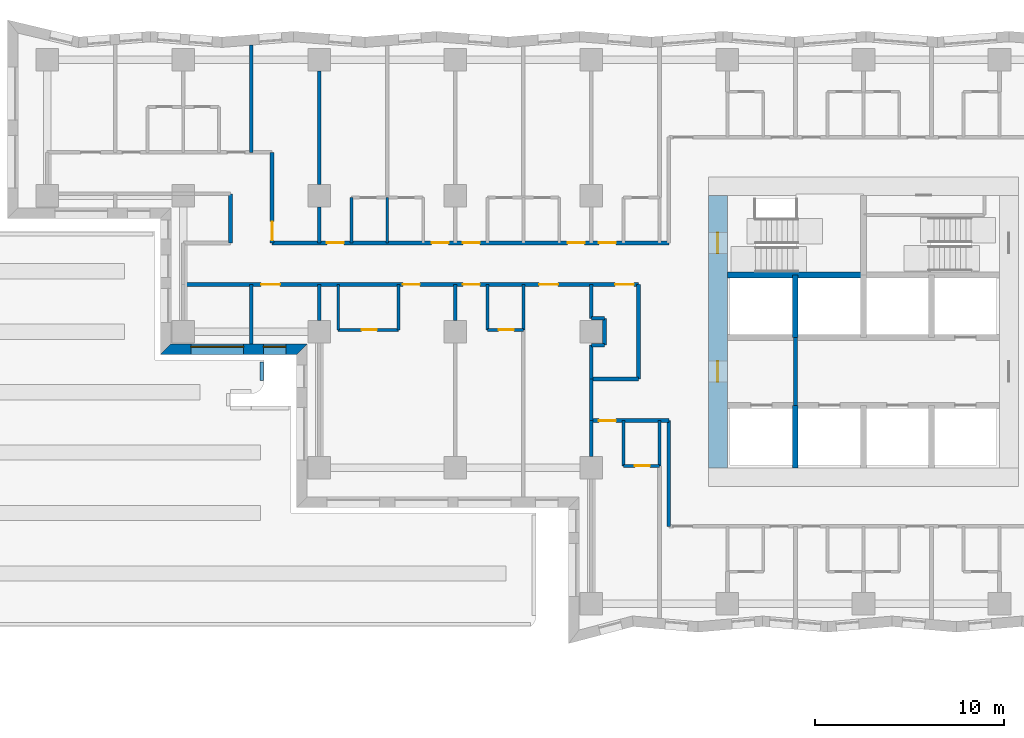
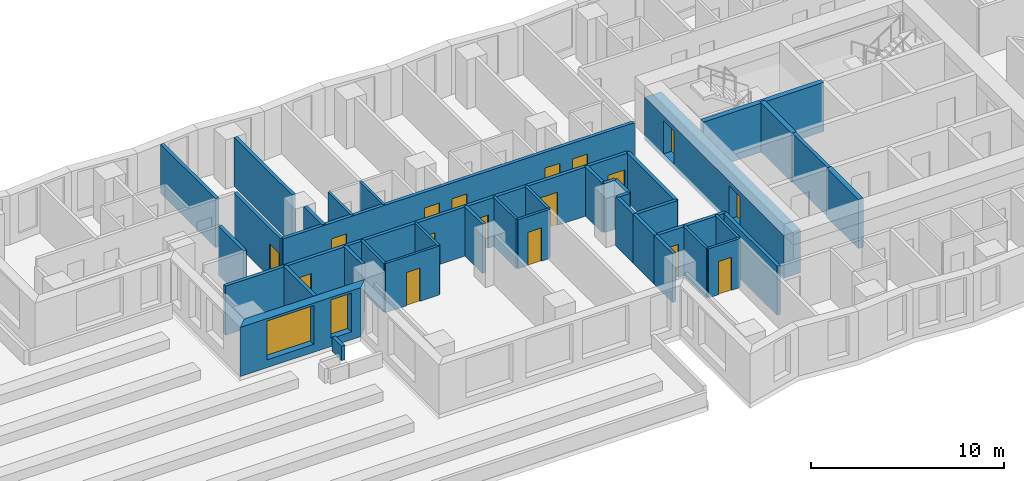
# One storey, part 5 of 15: 39 walls, 17 doors, 2 windows, 19 openings.
"""IFC4 building model written with IfcOpenShell, lengths in metres."""

from ifc_helpers import new_model, si_unit, direction, frame, frame_2d, origin, place, context, subcontext, project, spatial, polyline, rectangle, outline, extrude, material, layer, layer_set, type_object, element, fill, save


model = new_model("IFC4")

# Units and contexts
model_context = context("Model", 3, precision=1e-05, world=origin(), true_north=direction((0.0, 1.0)))
body_context = subcontext(model_context, "Body", "Model", "MODEL_VIEW")
ifc_project = project(units=[si_unit("LENGTHUNIT", "METRE"), si_unit("AREAUNIT", "SQUARE_METRE"), si_unit("VOLUMEUNIT", "CUBIC_METRE"), si_unit("PLANEANGLEUNIT", "RADIAN"), si_unit("MASSUNIT", "GRAM", prefix="KILO")], contexts=[model_context])

# Site, building, storey
site_placement = place(None, origin())
site = spatial("IfcSite", under=ifc_project, at=site_placement, CompositionType="ELEMENT")
building_placement = place(site_placement, origin())
building = spatial("IfcBuilding", under=site, at=building_placement, Name="Windrow Commons", CompositionType="ELEMENT")
storey_placement = place(building_placement, frame((0.0, 0.0, 27.0)))
storey = spatial("IfcBuildingStorey", under=building, at=storey_placement, Name="L06", CompositionType="ELEMENT", Elevation=27.0)

# Wall, openings, windows
ifc_material_1 = material(Name="Brick masonry, red clay brick", Category="masonry")
ifc_layer_1 = layer(ifc_material_1, 0.55)
ifc_layer_set_1 = layer_set([ifc_layer_1], Name="Brick facade wall 550")
wall_type_1 = type_object("IfcWallType", Name="Brick facade wall 550", PredefinedType="SOLIDWALL", material=ifc_layer_set_1)
wall_1_placement = place(storey_placement, frame((27.875, 56.675, 0.0), z_axis=(0.0, 0.0, 1.0), x_axis=(1.0, 0.0, 0.0)))
wall_1 = element("IfcWall", 1, at=wall_1_placement, inside=storey, type_object=wall_type_1, Name="Brick facade wall L06 42", PredefinedType="SOLIDWALL", context=body_context, shape_type="SweptSolid", body=[
    extrude(outline(polyline([(-0.275, -0.275), (6.925, -0.275), (7.475, 0.275), (0.275, 0.275), (-0.275, -0.275)])), origin(), (0.0, 0.0, 1.0), 3.1),
])
opening_1_placement = place(wall_1_placement, frame((1.325, 0.0, 0.5)))
opening_1 = element("IfcOpeningElement", 2, at=opening_1_placement, cuts=wall_1, Name="Opening W1T", PredefinedType="OPENING", context=body_context, shape_type="SweptSolid", body=[
    extrude(rectangle(XDim=2.8, YDim=2.45, at=frame_2d((1.4, 1.225))), frame((0.0, 0.285, 0.0), z_axis=(0.0, -1.0, 0.0), x_axis=(1.0, 0.0, 0.0)), (0.0, 0.0, 1.0), 0.57),
])
opening_2_placement = place(wall_1_placement, frame((5.1625, 0.0, 0.5)))
opening_2 = element("IfcOpeningElement", 3, at=opening_2_placement, cuts=wall_1, Name="Opening W7D", PredefinedType="OPENING", context=body_context, shape_type="SweptSolid", body=[
    extrude(rectangle(XDim=1.2, YDim=2.45, at=frame_2d((0.6, 1.225))), frame((0.0, 0.285, 0.0), z_axis=(0.0, -1.0, 0.0), x_axis=(1.0, 0.0, 0.0)), (0.0, 0.0, 1.0), 0.57),
])
ifc_material_2 = material(Name="Clear float glass in anodised aluminium frame", Category="aluminium")
window_type_1 = type_object("IfcWindowType", Name="Window W1T bedroom 2800x2450", PartitioningType="SINGLE_PANEL", PredefinedType="WINDOW", material=ifc_material_2)
window_1_placement = place(opening_1_placement, origin())
window_1 = element("IfcWindow", 4, at=window_1_placement, inside=storey, type_object=window_type_1, Name="Window L06 42.1", OverallHeight=2.45, OverallWidth=2.8, PartitioningType="SINGLE_PANEL", PredefinedType="WINDOW", context=body_context, shape_type="SweptSolid", body=[
    extrude(rectangle(XDim=2.8, YDim=2.45, at=frame_2d((1.4, 1.225))), frame((0.0, 0.155, 0.0), z_axis=(0.0, -1.0, 0.0), x_axis=(1.0, 0.0, 0.0)), (0.0, 0.0, 1.0), 0.06),
])
fill(opening_1, window_1)
ifc_material_3 = material(Name="Clear float glass in anodised aluminium frame", Category="aluminium")
window_type_2 = type_object("IfcWindowType", Name="Window W7 notch 1200x2450", PartitioningType="SINGLE_PANEL", PredefinedType="WINDOW", material=ifc_material_3)
window_2_placement = place(opening_2_placement, origin())
window_2 = element("IfcWindow", 5, at=window_2_placement, inside=storey, type_object=window_type_2, Name="Window L06 42.2", OverallHeight=2.45, OverallWidth=1.2, PartitioningType="SINGLE_PANEL", PredefinedType="WINDOW", context=body_context, shape_type="SweptSolid", body=[
    extrude(rectangle(XDim=1.2, YDim=2.45, at=frame_2d((0.6, 1.225))), frame((0.0, 0.155, 0.0), z_axis=(0.0, -1.0, 0.0), x_axis=(1.0, 0.0, 0.0)), (0.0, 0.0, 1.0), 0.06),
])
fill(opening_2, window_2)

# Wall
ifc_material_4 = material(Name="Blockwork partition", Category="masonry")
ifc_layer_2 = layer(ifc_material_4, 0.2)
ifc_layer_set_2 = layer_set([ifc_layer_2], Name="Fire lobby partition 200")
wall_type_2 = type_object("IfcWallType", Name="Fire lobby partition 200", PredefinedType="PARTITIONING", material=ifc_layer_set_2)
wall_2_placement = place(storey_placement, frame((61.2, 53.7, 0.0), z_axis=(0.0, 0.0, 1.0), x_axis=(0.0, 1.0, 0.0)))
element("IfcWall", 6, at=wall_2_placement, inside=storey, type_object=wall_type_2, Name="W-core-lobby-A-L06", PredefinedType="PARTITIONING", context=body_context, shape_type="SweptSolid", body=[
    extrude(rectangle(XDim=3.6, YDim=0.2, at=frame_2d((1.8, 0.0))), origin(), (0.0, 0.0, 1.0), 3.1),
])

# Wall, openings, doors
ifc_material_5 = material(Name="Blockwork partition", Category="masonry")
ifc_layer_3 = layer(ifc_material_5, 0.2)
ifc_layer_set_3 = layer_set([ifc_layer_3], Name="IW-CORRIDOR-200")
wall_type_3 = type_object("IfcWallType", Name="IW-CORRIDOR-200", PredefinedType="PARTITIONING", material=ifc_layer_set_3)
wall_3_placement = place(storey_placement, frame((28.8, 60.1, 0.0), z_axis=(0.0, 0.0, 1.0), x_axis=(1.0, 0.0, 0.0)))
wall_3 = element("IfcWall", 7, at=wall_3_placement, inside=storey, type_object=wall_type_3, Name="W-L06-W000", PredefinedType="PARTITIONING", context=body_context, shape_type="SweptSolid", body=[
    extrude(rectangle(XDim=24.1, YDim=0.2, at=frame_2d((12.05, 0.0))), origin(), (0.0, 0.0, 1.0), 3.1),
])
opening_3_placement = place(wall_3_placement, frame((4.125, 0.0, 0.0)))
opening_3 = element("IfcOpeningElement", 8, at=opening_3_placement, cuts=wall_3, Name="Opening D310F", PredefinedType="OPENING", context=body_context, shape_type="SweptSolid", body=[
    extrude(rectangle(XDim=1.0, YDim=2.1, at=frame_2d((0.5, 1.05))), frame((0.0, 0.11, 0.0), z_axis=(0.0, -1.0, 0.0), x_axis=(1.0, 0.0, 0.0)), (0.0, 0.0, 1.0), 0.22),
])
opening_4_placement = place(wall_3_placement, frame((11.62, 0.0, 0.0)))
opening_4 = element("IfcOpeningElement", 9, at=opening_4_placement, cuts=wall_3, Name="Opening D109F", PredefinedType="OPENING", context=body_context, shape_type="SweptSolid", body=[
    extrude(rectangle(XDim=0.9, YDim=2.1, at=frame_2d((0.45, 1.05))), frame((0.0, 0.11, 0.0), z_axis=(0.0, -1.0, 0.0), x_axis=(1.0, 0.0, 0.0)), (0.0, 0.0, 1.0), 0.22),
])
opening_5_placement = place(wall_3_placement, frame((14.8, 0.0, 0.0)))
opening_5 = element("IfcOpeningElement", 10, at=opening_5_placement, cuts=wall_3, Name="Opening D109S", PredefinedType="OPENING", context=body_context, shape_type="SweptSolid", body=[
    extrude(rectangle(XDim=0.9, YDim=2.1, at=frame_2d((0.45, 1.05))), frame((0.0, 0.11, 0.0), z_axis=(0.0, -1.0, 0.0), x_axis=(1.0, 0.0, 0.0)), (0.0, 0.0, 1.0), 0.22),
])
opening_6_placement = place(wall_3_placement, frame((18.835, 0.0, 0.0)))
opening_6 = element("IfcOpeningElement", 11, at=opening_6_placement, cuts=wall_3, Name="Opening D310F", PredefinedType="OPENING", context=body_context, shape_type="SweptSolid", body=[
    extrude(rectangle(XDim=1.0, YDim=2.1, at=frame_2d((0.5, 1.05))), frame((0.0, 0.11, 0.0), z_axis=(0.0, -1.0, 0.0), x_axis=(1.0, 0.0, 0.0)), (0.0, 0.0, 1.0), 0.22),
])
opening_7_placement = place(wall_3_placement, frame((22.8544, 0.0, 0.0)))
opening_7 = element("IfcOpeningElement", 12, at=opening_7_placement, cuts=wall_3, Name="Opening D410F", PredefinedType="OPENING", context=body_context, shape_type="SweptSolid", body=[
    extrude(rectangle(XDim=1.0, YDim=2.1, at=frame_2d((0.5, 1.05))), frame((0.0, 0.11, 0.0), z_axis=(0.0, -1.0, 0.0), x_axis=(1.0, 0.0, 0.0)), (0.0, 0.0, 1.0), 0.22),
])
ifc_material_6 = material(Name="Timber door leaf", Category="wood")
door_type_1 = type_object("IfcDoorType", Name="DT-AMENITY-1000", OperationType="SINGLE_SWING_LEFT", PredefinedType="DOOR", material=ifc_material_6)
door_1_placement = place(opening_3_placement, origin())
door_1 = element("IfcDoor", 13, at=door_1_placement, inside=storey, type_object=door_type_1, Name="D-L06-D008", OperationType="SINGLE_SWING_RIGHT", OverallHeight=2.1, OverallWidth=1.0, PredefinedType="DOOR", context=body_context, shape_type="SweptSolid", body=[
    extrude(rectangle(XDim=1.0, YDim=2.1, at=frame_2d((0.5, 1.05))), frame((0.0, 0.025, 0.0), z_axis=(0.0, -1.0, 0.0), x_axis=(1.0, 0.0, 0.0)), (0.0, 0.0, 1.0), 0.05),
])
fill(opening_3, door_1)
door_2_placement = place(opening_6_placement, origin())
door_2 = element("IfcDoor", 14, at=door_2_placement, inside=storey, type_object=door_type_1, Name="D-L06-D026", OperationType="SINGLE_SWING_RIGHT", OverallHeight=2.1, OverallWidth=1.0, PredefinedType="DOOR", context=body_context, shape_type="SweptSolid", body=[
    extrude(rectangle(XDim=1.0, YDim=2.1, at=frame_2d((0.5, 1.05))), frame((0.0, 0.025, 0.0), z_axis=(0.0, -1.0, 0.0), x_axis=(1.0, 0.0, 0.0)), (0.0, 0.0, 1.0), 0.05),
])
fill(opening_6, door_2)
ifc_material_7 = material(Name="Timber door leaf", Category="wood")
door_type_2 = type_object("IfcDoorType", Name="DT-BEDROOM-900", OperationType="SINGLE_SWING_LEFT", PredefinedType="DOOR", material=ifc_material_7)
door_3_placement = place(opening_4_placement, origin())
door_3 = element("IfcDoor", 15, at=door_3_placement, inside=storey, type_object=door_type_2, Name="D-L06-D009", OperationType="SINGLE_SWING_LEFT", OverallHeight=2.1, OverallWidth=0.9, PredefinedType="DOOR", context=body_context, shape_type="SweptSolid", body=[
    extrude(rectangle(XDim=0.9, YDim=2.1, at=frame_2d((0.45, 1.05))), frame((0.0, 0.025, 0.0), z_axis=(0.0, -1.0, 0.0), x_axis=(1.0, 0.0, 0.0)), (0.0, 0.0, 1.0), 0.05),
])
fill(opening_4, door_3)
door_4_placement = place(opening_5_placement, origin())
door_4 = element("IfcDoor", 16, at=door_4_placement, inside=storey, type_object=door_type_2, Name="D-L06-D011", OperationType="SINGLE_SWING_LEFT", OverallHeight=2.1, OverallWidth=0.9, PredefinedType="DOOR", context=body_context, shape_type="SweptSolid", body=[
    extrude(rectangle(XDim=0.9, YDim=2.1, at=frame_2d((0.45, 1.05))), frame((0.0, 0.025, 0.0), z_axis=(0.0, -1.0, 0.0), x_axis=(1.0, 0.0, 0.0)), (0.0, 0.0, 1.0), 0.05),
])
fill(opening_5, door_4)
ifc_material_8 = material(Name="Timber door leaf", Category="wood")
door_type_3 = type_object("IfcDoorType", Name="DT-SERVICE-1000", OperationType="SINGLE_SWING_LEFT", PredefinedType="DOOR", material=ifc_material_8)
door_5_placement = place(opening_7_placement, origin())
door_5 = element("IfcDoor", 17, at=door_5_placement, inside=storey, type_object=door_type_3, Name="D-L06-D027", OperationType="SINGLE_SWING_LEFT", OverallHeight=2.1, OverallWidth=1.0, PredefinedType="DOOR", context=body_context, shape_type="SweptSolid", body=[
    extrude(rectangle(XDim=1.0, YDim=2.1, at=frame_2d((0.5, 1.05))), frame((0.0, 0.025, 0.0), z_axis=(0.0, -1.0, 0.0), x_axis=(1.0, 0.0, 0.0)), (0.0, 0.0, 1.0), 0.05),
])
fill(opening_7, door_5)

wall_4_placement = place(storey_placement, frame((33.502, 62.3, 0.0), z_axis=(0.0, 0.0, 1.0), x_axis=(1.0, 0.0, 0.0)))
wall_4 = element("IfcWall", 18, at=wall_4_placement, inside=storey, type_object=wall_type_3, Name="W-L06-W001", PredefinedType="PARTITIONING", context=body_context, shape_type="SweptSolid", body=[
    extrude(rectangle(XDim=20.998, YDim=0.2, at=frame_2d((10.499, 0.0))), origin(), (0.0, 0.0, 1.0), 3.1),
])
opening_8_placement = place(wall_4_placement, frame((2.898, 0.0, 0.0)))
opening_8 = element("IfcOpeningElement", 19, at=opening_8_placement, cuts=wall_4, Name="Opening D109S", PredefinedType="OPENING", context=body_context, shape_type="SweptSolid", body=[
    extrude(rectangle(XDim=0.9, YDim=2.1, at=frame_2d((0.45, 1.05))), frame((0.0, 0.11, 0.0), z_axis=(0.0, -1.0, 0.0), x_axis=(1.0, 0.0, 0.0)), (0.0, 0.0, 1.0), 0.22),
])
opening_9_placement = place(wall_4_placement, frame((8.448, 0.0, 0.0)))
opening_9 = element("IfcOpeningElement", 20, at=opening_9_placement, cuts=wall_4, Name="Opening D109S", PredefinedType="OPENING", context=body_context, shape_type="SweptSolid", body=[
    extrude(rectangle(XDim=0.9, YDim=2.1, at=frame_2d((0.45, 1.05))), frame((0.0, 0.11, 0.0), z_axis=(0.0, -1.0, 0.0), x_axis=(1.0, 0.0, 0.0)), (0.0, 0.0, 1.0), 0.22),
])
opening_10_placement = place(wall_4_placement, frame((10.098, 0.0, 0.0)))
opening_10 = element("IfcOpeningElement", 21, at=opening_10_placement, cuts=wall_4, Name="Opening D109S", PredefinedType="OPENING", context=body_context, shape_type="SweptSolid", body=[
    extrude(rectangle(XDim=0.9, YDim=2.1, at=frame_2d((0.45, 1.05))), frame((0.0, 0.11, 0.0), z_axis=(0.0, -1.0, 0.0), x_axis=(1.0, 0.0, 0.0)), (0.0, 0.0, 1.0), 0.22),
])
opening_11_placement = place(wall_4_placement, frame((15.648, 0.0, 0.0)))
opening_11 = element("IfcOpeningElement", 22, at=opening_11_placement, cuts=wall_4, Name="Opening D109S", PredefinedType="OPENING", context=body_context, shape_type="SweptSolid", body=[
    extrude(rectangle(XDim=0.9, YDim=2.1, at=frame_2d((0.45, 1.05))), frame((0.0, 0.11, 0.0), z_axis=(0.0, -1.0, 0.0), x_axis=(1.0, 0.0, 0.0)), (0.0, 0.0, 1.0), 0.22),
])
opening_12_placement = place(wall_4_placement, frame((17.298, 0.0, 0.0)))
opening_12 = element("IfcOpeningElement", 23, at=opening_12_placement, cuts=wall_4, Name="Opening D109S", PredefinedType="OPENING", context=body_context, shape_type="SweptSolid", body=[
    extrude(rectangle(XDim=0.9, YDim=2.1, at=frame_2d((0.45, 1.05))), frame((0.0, 0.11, 0.0), z_axis=(0.0, -1.0, 0.0), x_axis=(1.0, 0.0, 0.0)), (0.0, 0.0, 1.0), 0.22),
])
door_6_placement = place(opening_8_placement, origin())
door_6 = element("IfcDoor", 24, at=door_6_placement, inside=storey, type_object=door_type_2, Name="D-L06-D014", OperationType="SINGLE_SWING_RIGHT", OverallHeight=2.1, OverallWidth=0.9, PredefinedType="DOOR", context=body_context, shape_type="SweptSolid", body=[
    extrude(rectangle(XDim=0.9, YDim=2.1, at=frame_2d((0.45, 1.05))), frame((0.0, 0.025, 0.0), z_axis=(0.0, -1.0, 0.0), x_axis=(1.0, 0.0, 0.0)), (0.0, 0.0, 1.0), 0.05),
])
fill(opening_8, door_6)
door_7_placement = place(opening_9_placement, origin())
door_7 = element("IfcDoor", 25, at=door_7_placement, inside=storey, type_object=door_type_2, Name="D-L06-D016", OperationType="SINGLE_SWING_LEFT", OverallHeight=2.1, OverallWidth=0.9, PredefinedType="DOOR", context=body_context, shape_type="SweptSolid", body=[
    extrude(rectangle(XDim=0.9, YDim=2.1, at=frame_2d((0.45, 1.05))), frame((0.0, 0.025, 0.0), z_axis=(0.0, -1.0, 0.0), x_axis=(1.0, 0.0, 0.0)), (0.0, 0.0, 1.0), 0.05),
])
fill(opening_9, door_7)
door_8_placement = place(opening_10_placement, origin())
door_8 = element("IfcDoor", 26, at=door_8_placement, inside=storey, type_object=door_type_2, Name="D-L06-D018", OperationType="SINGLE_SWING_RIGHT", OverallHeight=2.1, OverallWidth=0.9, PredefinedType="DOOR", context=body_context, shape_type="SweptSolid", body=[
    extrude(rectangle(XDim=0.9, YDim=2.1, at=frame_2d((0.45, 1.05))), frame((0.0, 0.025, 0.0), z_axis=(0.0, -1.0, 0.0), x_axis=(1.0, 0.0, 0.0)), (0.0, 0.0, 1.0), 0.05),
])
fill(opening_10, door_8)
door_9_placement = place(opening_11_placement, origin())
door_9 = element("IfcDoor", 27, at=door_9_placement, inside=storey, type_object=door_type_2, Name="D-L06-D020", OperationType="SINGLE_SWING_LEFT", OverallHeight=2.1, OverallWidth=0.9, PredefinedType="DOOR", context=body_context, shape_type="SweptSolid", body=[
    extrude(rectangle(XDim=0.9, YDim=2.1, at=frame_2d((0.45, 1.05))), frame((0.0, 0.025, 0.0), z_axis=(0.0, -1.0, 0.0), x_axis=(1.0, 0.0, 0.0)), (0.0, 0.0, 1.0), 0.05),
])
fill(opening_11, door_9)
door_10_placement = place(opening_12_placement, origin())
door_10 = element("IfcDoor", 28, at=door_10_placement, inside=storey, type_object=door_type_2, Name="D-L06-D022", OperationType="SINGLE_SWING_RIGHT", OverallHeight=2.1, OverallWidth=0.9, PredefinedType="DOOR", context=body_context, shape_type="SweptSolid", body=[
    extrude(rectangle(XDim=0.9, YDim=2.1, at=frame_2d((0.45, 1.05))), frame((0.0, 0.025, 0.0), z_axis=(0.0, -1.0, 0.0), x_axis=(1.0, 0.0, 0.0)), (0.0, 0.0, 1.0), 0.05),
])
fill(opening_12, door_10)

# Walls
wall_5_placement = place(storey_placement, frame((54.5, 47.3, 0.0), z_axis=(0.0, 0.0, 1.0), x_axis=(0.0, 1.0, 0.0)))
element("IfcWall", 29, at=wall_5_placement, inside=storey, type_object=wall_type_3, Name="W-L06-W038", PredefinedType="PARTITIONING", context=body_context, shape_type="SweptSolid", body=[
    extrude(rectangle(XDim=5.6, YDim=0.2, at=frame_2d((2.8, 0.0))), origin(), (0.0, 0.0, 1.0), 3.1),
])
wall_6_placement = place(storey_placement, frame((52.9, 55.102, 0.0), z_axis=(0.0, 0.0, 1.0), x_axis=(0.0, 1.0, 0.0)))
element("IfcWall", 30, at=wall_6_placement, inside=storey, type_object=wall_type_3, Name="W-L06-W048", PredefinedType="PARTITIONING", context=body_context, shape_type="SweptSolid", body=[
    extrude(rectangle(XDim=4.998, YDim=0.2, at=frame_2d((2.499, 0.0))), origin(), (0.0, 0.0, 1.0), 3.1),
])

# Wall, opening, door
wall_7_placement = place(storey_placement, frame((33.5, 62.302, 0.0), z_axis=(0.0, 0.0, 1.0), x_axis=(0.0, 1.0, 0.0)))
wall_7 = element("IfcWall", 31, at=wall_7_placement, inside=storey, type_object=wall_type_3, Name="W-L06-W051", PredefinedType="PARTITIONING", context=body_context, shape_type="SweptSolid", body=[
    extrude(rectangle(XDim=4.798, YDim=0.2, at=frame_2d((2.399, 0.0))), origin(), (0.0, 0.0, 1.0), 3.1),
])
opening_13_placement = place(wall_7_placement, frame((0.133, 0.0, 0.0)))
opening_13 = element("IfcOpeningElement", 32, at=opening_13_placement, cuts=wall_7, Name="Opening D310F", PredefinedType="OPENING", context=body_context, shape_type="SweptSolid", body=[
    extrude(rectangle(XDim=1.0, YDim=2.1, at=frame_2d((0.5, 1.05))), frame((0.0, 0.11, 0.0), z_axis=(0.0, -1.0, 0.0), x_axis=(1.0, 0.0, 0.0)), (0.0, 0.0, 1.0), 0.22),
])
door_11_placement = place(opening_13_placement, origin())
door_11 = element("IfcDoor", 33, at=door_11_placement, inside=storey, type_object=door_type_1, Name="D-L06-D013", OperationType="SINGLE_SWING_LEFT", OverallHeight=2.1, OverallWidth=1.0, PredefinedType="DOOR", context=body_context, shape_type="SweptSolid", body=[
    extrude(rectangle(XDim=1.0, YDim=2.1, at=frame_2d((0.5, 1.05))), frame((0.0, 0.025, 0.0), z_axis=(0.0, -1.0, 0.0), x_axis=(1.0, 0.0, 0.0)), (0.0, 0.0, 1.0), 0.05),
])
fill(opening_13, door_11)

wall_8_placement = place(storey_placement, frame((50.4, 52.9, 0.0), z_axis=(0.0, 0.0, 1.0), x_axis=(1.0, 0.0, 0.0)))
wall_8 = element("IfcWall", 34, at=wall_8_placement, inside=storey, type_object=wall_type_3, Name="W-L06-W057", PredefinedType="PARTITIONING", context=body_context, shape_type="SweptSolid", body=[
    extrude(rectangle(XDim=4.1, YDim=0.2, at=frame_2d((2.05, 0.0))), origin(), (0.0, 0.0, 1.0), 3.1),
])
opening_14_placement = place(wall_8_placement, frame((0.4, 0.0, 0.0)))
opening_14 = element("IfcOpeningElement", 35, at=opening_14_placement, cuts=wall_8, Name="Opening D109S", PredefinedType="OPENING", context=body_context, shape_type="SweptSolid", body=[
    extrude(rectangle(XDim=0.9, YDim=2.1, at=frame_2d((0.45, 1.05))), frame((0.0, 0.11, 0.0), z_axis=(0.0, -1.0, 0.0), x_axis=(1.0, 0.0, 0.0)), (0.0, 0.0, 1.0), 0.22),
])
door_12_placement = place(opening_14_placement, origin())
door_12 = element("IfcDoor", 36, at=door_12_placement, inside=storey, type_object=door_type_2, Name="D-L06-D028", OperationType="SINGLE_SWING_LEFT", OverallHeight=2.1, OverallWidth=0.9, PredefinedType="DOOR", context=body_context, shape_type="SweptSolid", body=[
    extrude(rectangle(XDim=0.9, YDim=2.1, at=frame_2d((0.45, 1.05))), frame((0.0, 0.025, 0.0), z_axis=(0.0, -1.0, 0.0), x_axis=(1.0, 0.0, 0.0)), (0.0, 0.0, 1.0), 0.05),
])
fill(opening_14, door_12)

# Walls
wall_9_placement = place(storey_placement, frame((31.3, 62.302, 0.0), z_axis=(0.0, 0.0, 1.0), x_axis=(0.0, 1.0, 0.0)))
element("IfcWall", 37, at=wall_9_placement, inside=storey, type_object=wall_type_3, Name="W-L06-W074", PredefinedType="PARTITIONING", context=body_context, shape_type="SweptSolid", body=[
    extrude(rectangle(XDim=2.598, YDim=0.2, at=frame_2d((1.299, 0.0))), origin(), (0.0, 0.0, 1.0), 3.1),
])
wall_10_placement = place(storey_placement, frame((50.4, 55.1, 0.0), z_axis=(0.0, 0.0, 1.0), x_axis=(1.0, 0.0, 0.0)))
element("IfcWall", 38, at=wall_10_placement, inside=storey, type_object=wall_type_3, Name="W-L06-W075", PredefinedType="PARTITIONING", context=body_context, shape_type="SweptSolid", body=[
    extrude(rectangle(XDim=2.5, YDim=0.2, at=frame_2d((1.25, 0.0))), origin(), (0.0, 0.0, 1.0), 3.1),
])
wall_11_placement = place(storey_placement, frame((50.4, 52.9, 0.0), z_axis=(0.0, 0.0, 1.0), x_axis=(0.0, 1.0, 0.0)))
element("IfcWall", 39, at=wall_11_placement, inside=storey, type_object=wall_type_3, Name="W-L06-W128", PredefinedType="PARTITIONING", context=body_context, shape_type="SweptSolid", body=[
    extrude(rectangle(XDim=2.2, YDim=0.2, at=frame_2d((1.1, 0.0))), origin(), (0.0, 0.0, 1.0), 3.1),
])

# Wall, opening, door
ifc_material_9 = material(Name="Blockwork partition", Category="masonry")
ifc_layer_4 = layer(ifc_material_9, 0.15)
ifc_layer_set_4 = layer_set([ifc_layer_4], Name="IW-ENSUITE-150")
wall_type_4 = type_object("IfcWallType", Name="IW-ENSUITE-150", PredefinedType="PARTITIONING", material=ifc_layer_set_4)
wall_12_placement = place(storey_placement, frame((37.0, 57.7, 0.0), z_axis=(0.0, 0.0, 1.0), x_axis=(1.0, 0.0, 0.0)))
wall_12 = element("IfcWall", 40, at=wall_12_placement, inside=storey, type_object=wall_type_4, Name="W-L06-W067", PredefinedType="PARTITIONING", context=body_context, shape_type="SweptSolid", body=[
    extrude(rectangle(XDim=3.2, YDim=0.15, at=frame_2d((1.6, 0.0))), origin(), (0.0, 0.0, 1.0), 3.1),
])
opening_15_placement = place(wall_12_placement, frame((1.246, 0.0, 0.0)))
opening_15 = element("IfcOpeningElement", 41, at=opening_15_placement, cuts=wall_12, Name="Opening D208N", PredefinedType="OPENING", context=body_context, shape_type="SweptSolid", body=[
    extrude(rectangle(XDim=0.8, YDim=2.1, at=frame_2d((0.4, 1.05))), frame((0.0, 0.085, 0.0), z_axis=(0.0, -1.0, 0.0), x_axis=(1.0, 0.0, 0.0)), (0.0, 0.0, 1.0), 0.17),
])
ifc_material_10 = material(Name="Timber door leaf", Category="wood")
door_type_4 = type_object("IfcDoorType", Name="DT-ENSUITE-800", OperationType="SINGLE_SWING_LEFT", PredefinedType="DOOR", material=ifc_material_10)
door_13_placement = place(opening_15_placement, origin())
door_13 = element("IfcDoor", 42, at=door_13_placement, inside=storey, type_object=door_type_4, Name="D-L06-D010", OperationType="SINGLE_SWING_RIGHT", OverallHeight=2.1, OverallWidth=0.8, PredefinedType="DOOR", context=body_context, shape_type="SweptSolid", body=[
    extrude(rectangle(XDim=0.8, YDim=2.1, at=frame_2d((0.4, 1.05))), frame((0.0, 0.025, 0.0), z_axis=(0.0, -1.0, 0.0), x_axis=(1.0, 0.0, 0.0)), (0.0, 0.0, 1.0), 0.05),
])
fill(opening_15, door_13)

# Walls
for number, where, z_axis, x_axis, name in (
    (43, (37.7, 62.3, 0.0), (0.0, 0.0, 1.0), (0.0, 1.0, 0.0), "W-L06-W087"),
    (44, (39.6, 62.3, 0.0), (0.0, 0.0, 1.0), (0.0, 1.0, 0.0), "W-L06-W088"),
    (45, (40.2, 57.7, 0.0), (0.0, 0.0, 1.0), (0.0, 1.0, 0.0), "W-L06-W095"),
    (46, (37.0, 57.7, 0.0), (0.0, 0.0, 1.0), (0.0, 1.0, 0.0), "W-L06-W096"),
    (47, (44.9, 57.7, 0.0), (0.0, 0.0, 1.0), (0.0, 1.0, 0.0), "W-L06-W097"),
    (48, (46.8, 57.7, 0.0), (0.0, 0.0, 1.0), (0.0, 1.0, 0.0), "W-L06-W098"),
    (49, (52.1, 50.5, 0.0), (0.0, 0.0, 1.0), (0.0, 1.0, 0.0), "W-L06-W099"),
    (50, (54.0, 50.5, 0.0), (0.0, 0.0, 1.0), (0.0, 1.0, 0.0), "W-L06-W100"),
):
    element("IfcWall", number, at=place(storey_placement, frame(where, z_axis=z_axis, x_axis=x_axis)), inside=storey, type_object=wall_type_4, Name=name, PredefinedType="PARTITIONING", context=body_context, shape_type="SweptSolid", body=[
        extrude(rectangle(XDim=2.4, YDim=0.15, at=frame_2d((1.2, 0.0))), origin(), (0.0, 0.0, 1.0), 3.1),
    ])

# Wall, opening, door
wall_13_placement = place(storey_placement, frame((44.9, 57.7, 0.0), z_axis=(0.0, 0.0, 1.0), x_axis=(1.0, 0.0, 0.0)))
wall_13 = element("IfcWall", 51, at=wall_13_placement, inside=storey, type_object=wall_type_4, Name="W-L06-W148", PredefinedType="PARTITIONING", context=body_context, shape_type="SweptSolid", body=[
    extrude(rectangle(XDim=1.9, YDim=0.15, at=frame_2d((0.95, 0.0))), origin(), (0.0, 0.0, 1.0), 3.1),
])
opening_16_placement = place(wall_13_placement, frame((0.5979, 0.0, 0.0)))
opening_16 = element("IfcOpeningElement", 52, at=opening_16_placement, cuts=wall_13, Name="Opening D208N", PredefinedType="OPENING", context=body_context, shape_type="SweptSolid", body=[
    extrude(rectangle(XDim=0.8, YDim=2.1, at=frame_2d((0.4, 1.05))), frame((0.0, 0.085, 0.0), z_axis=(0.0, -1.0, 0.0), x_axis=(1.0, 0.0, 0.0)), (0.0, 0.0, 1.0), 0.17),
])
door_14_placement = place(opening_16_placement, origin())
door_14 = element("IfcDoor", 53, at=door_14_placement, inside=storey, type_object=door_type_4, Name="D-L06-D012", OperationType="SINGLE_SWING_RIGHT", OverallHeight=2.1, OverallWidth=0.8, PredefinedType="DOOR", context=body_context, shape_type="SweptSolid", body=[
    extrude(rectangle(XDim=0.8, YDim=2.1, at=frame_2d((0.4, 1.05))), frame((0.0, 0.025, 0.0), z_axis=(0.0, -1.0, 0.0), x_axis=(1.0, 0.0, 0.0)), (0.0, 0.0, 1.0), 0.05),
])
fill(opening_16, door_14)

wall_14_placement = place(storey_placement, frame((52.1, 50.5, 0.0), z_axis=(0.0, 0.0, 1.0), x_axis=(1.0, 0.0, 0.0)))
wall_14 = element("IfcWall", 54, at=wall_14_placement, inside=storey, type_object=wall_type_4, Name="W-L06-W152", PredefinedType="PARTITIONING", context=body_context, shape_type="SweptSolid", body=[
    extrude(rectangle(XDim=1.9, YDim=0.15, at=frame_2d((0.95, 0.0))), origin(), (0.0, 0.0, 1.0), 3.1),
])
opening_17_placement = place(wall_14_placement, frame((0.5979, 0.0, 0.0)))
opening_17 = element("IfcOpeningElement", 55, at=opening_17_placement, cuts=wall_14, Name="Opening D208N", PredefinedType="OPENING", context=body_context, shape_type="SweptSolid", body=[
    extrude(rectangle(XDim=0.8, YDim=2.1, at=frame_2d((0.4, 1.05))), frame((0.0, 0.085, 0.0), z_axis=(0.0, -1.0, 0.0), x_axis=(1.0, 0.0, 0.0)), (0.0, 0.0, 1.0), 0.17),
])
door_15_placement = place(opening_17_placement, origin())
door_15 = element("IfcDoor", 56, at=door_15_placement, inside=storey, type_object=door_type_4, Name="D-L06-D029", OperationType="SINGLE_SWING_RIGHT", OverallHeight=2.1, OverallWidth=0.8, PredefinedType="DOOR", context=body_context, shape_type="SweptSolid", body=[
    extrude(rectangle(XDim=0.8, YDim=2.1, at=frame_2d((0.4, 1.05))), frame((0.0, 0.025, 0.0), z_axis=(0.0, -1.0, 0.0), x_axis=(1.0, 0.0, 0.0)), (0.0, 0.0, 1.0), 0.05),
])
fill(opening_17, door_15)

# Walls
ifc_material_11 = material(Name="Blockwork partition", Category="masonry")
ifc_layer_5 = layer(ifc_material_11, 0.2)
ifc_layer_set_5 = layer_set([ifc_layer_5], Name="IW-PARTY-200")
wall_type_5 = type_object("IfcWallType", Name="IW-PARTY-200", PredefinedType="PARTITIONING", material=ifc_layer_set_5)
wall_15_placement = place(storey_placement, frame((36.0, 65.4, 0.0), z_axis=(0.0, 0.0, 1.0), x_axis=(0.0, 1.0, 0.0)))
element("IfcWall", 57, at=wall_15_placement, inside=storey, type_object=wall_type_5, Name="W-L06-W030", PredefinedType="PARTITIONING", context=body_context, shape_type="SweptSolid", body=[
    extrude(rectangle(XDim=6.0, YDim=0.2, at=frame_2d((3.0, 0.0))), origin(), (0.0, 0.0, 1.0), 3.1),
])
wall_16_placement = place(storey_placement, frame((32.4, 67.1, 0.0), z_axis=(0.0, 0.0, 1.0), x_axis=(0.0, 1.0, 0.0)))
element("IfcWall", 58, at=wall_16_placement, inside=storey, type_object=wall_type_5, Name="W-L06-W037", PredefinedType="PARTITIONING", context=body_context, shape_type="SweptSolid", body=[
    extrude(rectangle(XDim=5.6706, YDim=0.2, at=frame_2d((2.8353, 0.0))), origin(), (0.0, 0.0, 1.0), 3.1),
])
wall_17_placement = place(storey_placement, frame((32.4, 56.95, 0.0), z_axis=(0.0, 0.0, 1.0), x_axis=(0.0, 1.0, 0.0)))
element("IfcWall", 59, at=wall_17_placement, inside=storey, type_object=wall_type_5, Name="W-L06-W070", PredefinedType="PARTITIONING", context=body_context, shape_type="SweptSolid", body=[
    extrude(rectangle(XDim=3.15, YDim=0.2, at=frame_2d((1.575, 0.0))), origin(), (0.0, 0.0, 1.0), 3.1),
])
for number, where, z_axis, x_axis, name in (
    (60, (36.0, 62.3, 0.0), (0.0, 0.0, 1.0), (0.0, 1.0, 0.0), "W-L06-W140"),
    (61, (36.0, 58.2, 0.0), (0.0, 0.0, 1.0), (0.0, 1.0, 0.0), "W-L06-W147"),
    (62, (43.2, 58.2, 0.0), (0.0, 0.0, 1.0), (0.0, 1.0, 0.0), "W-L06-W150"),
    (63, (50.4, 51.0, 0.0), (0.0, 0.0, 1.0), (0.0, 1.0, 0.0), "W-L06-W151"),
):
    element("IfcWall", number, at=place(storey_placement, frame(where, z_axis=z_axis, x_axis=x_axis)), inside=storey, type_object=wall_type_5, Name=name, PredefinedType="PARTITIONING", context=body_context, shape_type="SweptSolid", body=[
        extrude(rectangle(XDim=1.9, YDim=0.2, at=frame_2d((0.95, 0.0))), origin(), (0.0, 0.0, 1.0), 3.1),
    ])
for number, where, z_axis, x_axis, name in (
    (64, (50.4, 58.306, 0.0), (0.0, 0.0, 1.0), (0.0, 1.0, 0.0), "W-L06-W160"),
    (65, (50.4, 55.1, 0.0), (0.0, 0.0, 1.0), (0.0, 1.0, 0.0), "W-L06-W161"),
):
    element("IfcWall", number, at=place(storey_placement, frame(where, z_axis=z_axis, x_axis=x_axis)), inside=storey, type_object=wall_type_5, Name=name, PredefinedType="PARTITIONING", context=body_context, shape_type="SweptSolid", body=[
        extrude(rectangle(XDim=1.794, YDim=0.2, at=frame_2d((0.897, 0.0))), origin(), (0.0, 0.0, 1.0), 3.1),
    ])
wall_18_placement = place(storey_placement, frame((51.1, 56.894, 0.0), z_axis=(0.0, 0.0, 1.0), x_axis=(0.0, 1.0, 0.0)))
element("IfcWall", 66, at=wall_18_placement, inside=storey, type_object=wall_type_5, Name="W-L06-W173", PredefinedType="PARTITIONING", context=body_context, shape_type="SweptSolid", body=[
    extrude(rectangle(XDim=1.412, YDim=0.2, at=frame_2d((0.706, 0.0))), origin(), (0.0, 0.0, 1.0), 3.1),
])
for number, where, z_axis, x_axis, name in (
    (67, (50.4, 58.31, 0.0), (0.0, 0.0, 1.0), (1.0, 0.0, 0.0), "W-L06-W192"),
    (68, (50.4, 56.89, 0.0), (0.0, 0.0, 1.0), (1.0, 0.0, 0.0), "W-L06-W193"),
):
    element("IfcWall", number, at=place(storey_placement, frame(where, z_axis=z_axis, x_axis=x_axis)), inside=storey, type_object=wall_type_5, Name=name, PredefinedType="PARTITIONING", context=body_context, shape_type="SweptSolid", body=[
        extrude(rectangle(XDim=0.7, YDim=0.2, at=frame_2d((0.35, 0.0))), origin(), (0.0, 0.0, 1.0), 3.1),
    ])

# Wall, openings, doors
ifc_material_12 = material(Name="Concrete C60/75", Category="concrete")
ifc_layer_6 = layer(ifc_material_12, 1.0)
ifc_layer_set_6 = layer_set([ifc_layer_6], Name="RC CORE WALL 1000 C60/75")
wall_type_6 = type_object("IfcWallType", Name="RC CORE WALL 1000 C60/75", PredefinedType="SHEAR", material=ifc_layer_set_6)
wall_19_placement = place(storey_placement, frame((57.1, 50.4, -0.3), z_axis=(0.0, 0.0, 1.0), x_axis=(0.0, 1.0, 0.0)))
wall_19 = element("IfcWall", 69, at=wall_19_placement, inside=storey, type_object=wall_type_6, Name="Core A wall outer-W", PredefinedType="SHEAR", context=body_context, shape_type="SweptSolid", body=[
    extrude(rectangle(XDim=14.4, YDim=1.0, at=frame_2d((7.2, 0.0))), origin(), (0.0, 0.0, 1.0), 2.7),
])
opening_18_placement = place(wall_19_placement, frame((4.55, 0.0, 0.3)))
opening_18 = element("IfcOpeningElement", 70, at=opening_18_placement, cuts=wall_19, Name="Opening D6", PredefinedType="OPENING", context=body_context, shape_type="SweptSolid", body=[
    extrude(rectangle(XDim=1.1, YDim=2.1, at=frame_2d((0.55, 1.05))), frame((0.0, 0.51, 0.0), z_axis=(0.0, -1.0, 0.0), x_axis=(1.0, 0.0, 0.0)), (0.0, 0.0, 1.0), 1.02),
])
opening_19_placement = place(wall_19_placement, frame((11.35, 0.0, 0.3)))
opening_19 = element("IfcOpeningElement", 71, at=opening_19_placement, cuts=wall_19, Name="Opening D7", PredefinedType="OPENING", context=body_context, shape_type="SweptSolid", body=[
    extrude(rectangle(XDim=1.1, YDim=2.1, at=frame_2d((0.55, 1.05))), frame((0.0, 0.51, 0.0), z_axis=(0.0, -1.0, 0.0), x_axis=(1.0, 0.0, 0.0)), (0.0, 0.0, 1.0), 1.02),
])
ifc_material_13 = material(Name="Steel fire door leaf", Category="steel")
door_type_5 = type_object("IfcDoorType", Name="Core lobby door 1100", OperationType="SINGLE_SWING_LEFT", PredefinedType="DOOR", material=ifc_material_13)
door_16_placement = place(opening_18_placement, origin())
door_16 = element("IfcDoor", 72, at=door_16_placement, inside=storey, type_object=door_type_5, Name="Lift lobby door", OperationType="DOUBLE_DOOR_SINGLE_SWING", OverallHeight=2.1, OverallWidth=1.1, PredefinedType="DOOR", context=body_context, shape_type="SweptSolid", body=[
    extrude(rectangle(XDim=1.1, YDim=2.1, at=frame_2d((0.55, 1.05))), frame((0.0, 0.025, 0.0), z_axis=(0.0, -1.0, 0.0), x_axis=(1.0, 0.0, 0.0)), (0.0, 0.0, 1.0), 0.05),
])
fill(opening_18, door_16)
ifc_material_14 = material(Name="Steel fire door leaf", Category="steel")
door_type_6 = type_object("IfcDoorType", Name="Stair door 1100", OperationType="SINGLE_SWING_LEFT", PredefinedType="DOOR", material=ifc_material_14)
door_17_placement = place(opening_19_placement, origin())
door_17 = element("IfcDoor", 73, at=door_17_placement, inside=storey, type_object=door_type_6, Name="Stair door", OperationType="SINGLE_SWING_LEFT", OverallHeight=2.1, OverallWidth=1.1, PredefinedType="DOOR", context=body_context, shape_type="SweptSolid", body=[
    extrude(rectangle(XDim=1.1, YDim=2.1, at=frame_2d((0.55, 1.05))), frame((0.0, 0.025, 0.0), z_axis=(0.0, -1.0, 0.0), x_axis=(1.0, 0.0, 0.0)), (0.0, 0.0, 1.0), 0.05),
])
fill(opening_19, door_17)

# Walls
ifc_material_15 = material(Name="Concrete C60/75", Category="concrete")
ifc_layer_7 = layer(ifc_material_15, 0.3)
ifc_layer_set_7 = layer_set([ifc_layer_7], Name="RC SHAFT WALL 300 C60/75")
wall_type_7 = type_object("IfcWallType", Name="RC SHAFT WALL 300 C60/75", PredefinedType="SOLIDWALL", material=ifc_layer_set_7)
for number, where, z_axis, x_axis, name in (
    (74, (61.2, 50.4, 0.0), (0.0, 0.0, 1.0), (0.0, 1.0, 0.0), "Core A wall shaft-S1"),
    (75, (61.2, 57.3, 0.0), (0.0, 0.0, 1.0), (0.0, 1.0, 0.0), "Core A wall shaft-N1"),
):
    element("IfcWall", number, at=place(storey_placement, frame(where, z_axis=z_axis, x_axis=x_axis)), inside=storey, type_object=wall_type_7, Name=name, PredefinedType="SOLIDWALL", context=body_context, shape_type="SweptSolid", body=[
        extrude(rectangle(XDim=3.3, YDim=0.3, at=frame_2d((1.65, 0.0))), origin(), (0.0, 0.0, 1.0), 3.1),
    ])
wall_20_placement = place(storey_placement, frame((57.6, 60.6, 0.0), z_axis=(0.0, 0.0, 1.0), x_axis=(1.0, 0.0, 0.0)))
element("IfcWall", 76, at=wall_20_placement, inside=storey, type_object=wall_type_7, Name="Core A wall stair-S", PredefinedType="SOLIDWALL", context=body_context, shape_type="SweptSolid", body=[
    extrude(rectangle(XDim=7.2, YDim=0.3, at=frame_2d((3.6, 0.0))), origin(), (0.0, 0.0, 1.0), 3.1),
])
ifc_material_16 = material(Name="Brick masonry, red clay brick", Category="masonry")
ifc_layer_8 = layer(ifc_material_16, 0.2)
ifc_layer_set_8 = layer_set([ifc_layer_8], Name="Terrace edge parapet 200")
wall_type_8 = type_object("IfcWallType", Name="Terrace edge parapet 200", PredefinedType="PARAPET", material=ifc_layer_set_8)
wall_21_placement = place(storey_placement, frame((32.96, 56.0, 0.0), z_axis=(0.0, 0.0, 1.0), x_axis=(0.0, -1.0, 0.0)))
element("IfcWall", 77, at=wall_21_placement, inside=storey, type_object=wall_type_8, Name="Roof parapet L05 5", PredefinedType="PARAPET", context=body_context, shape_type="SweptSolid", body=[
    extrude(rectangle(XDim=0.9763, YDim=0.2, at=frame_2d((0.4881, 0.0))), origin(), (0.0, 0.0, 1.0), 0.9),
])

save(model, "model.ifc")
